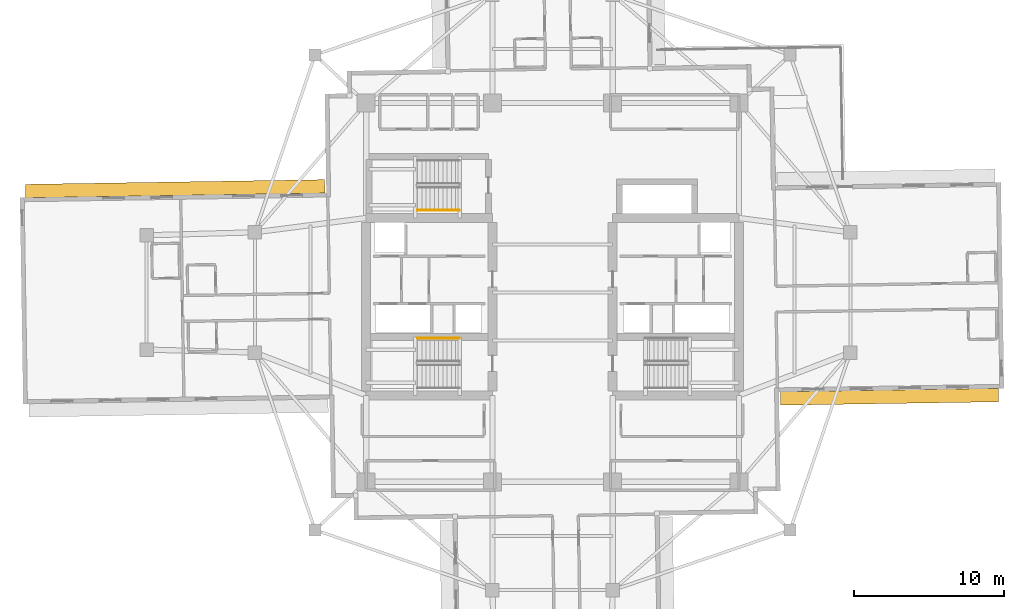
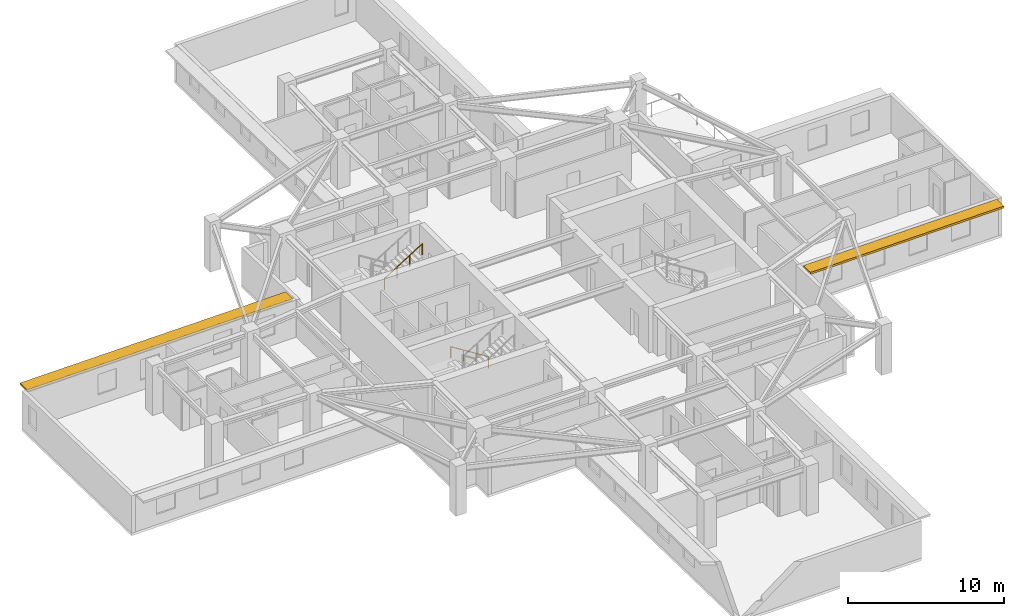
# One storey, part 11 of 13: 2 railings, 2 shading devices.
"""IFC4 building model written with IfcOpenShell, lengths in metres."""

from ifc_helpers import new_model, si_unit, direction, frame, origin, origin_2d, place, context, subcontext, project, spatial, rectangle, circle, extrude, material, layer, layer_set, type_object, element, save


model = new_model("IFC4")

# Units and contexts
model_context = context("Model", 3, precision=1e-05, world=origin(), true_north=direction((0.0, 1.0)))
body_context = subcontext(model_context, "Body", "Model", "MODEL_VIEW")
ifc_project = project(units=[si_unit("LENGTHUNIT", "METRE"), si_unit("AREAUNIT", "SQUARE_METRE"), si_unit("VOLUMEUNIT", "CUBIC_METRE"), si_unit("PLANEANGLEUNIT", "RADIAN"), si_unit("MASSUNIT", "GRAM", prefix="KILO")], contexts=[model_context])

# Site, building, storey
site_placement = place(None, origin())
site = spatial("IfcSite", under=ifc_project, at=site_placement, CompositionType="ELEMENT")
building_placement = place(site_placement, origin())
building = spatial("IfcBuilding", under=site, at=building_placement, Name="Qingluan Cross Belvedere", CompositionType="ELEMENT")
storey_placement = place(building_placement, frame((0.0, 0.0, 187.800048828125)))
storey = spatial("IfcBuildingStorey", under=building, at=storey_placement, Name="L47", CompositionType="ELEMENT", Elevation=187.800048828125)

# Shading devices
ifc_material_1 = material(Name="Precast concrete C45", Category="concrete")
ifc_layer = layer(ifc_material_1, 0.159912109375, Name="ConcreteSunshadeBand_900")
ifc_layer_set = layer_set([ifc_layer], Name="Precast concrete C45")
shading_device_type = type_object("IfcShadingDeviceType", Name="ConcreteSunshadeBand_900", PredefinedType="USERDEFINED", material=ifc_layer_set)
shading_device_1_placement = place(storey_placement, frame((22.40185546875, -6.93896484375, 2.740234375), z_axis=(0.0, 0.0, 1.0), x_axis=(0.999876630106, 0.015707468526, 0.0)))
element("IfcShadingDevice", 1, at=shading_device_1_placement, inside=storey, type_object=shading_device_type, Name="Concrete SUNSHADE L47-EA", ObjectType="SUNSHADE", PredefinedType="USERDEFINED", context=body_context, shape_type="SweptSolid", body=[
    extrude(rectangle(XDim=14.5, YDim=0.89990234375, at=origin_2d()), origin(), (0.0, 0.0, 1.0), 0.159912109375),
])
shading_device_2_placement = place(storey_placement, frame((-25.101318359375, 6.896484375, 2.740234375), z_axis=(0.0, 0.0, 1.0), x_axis=(-0.999876645576, -0.015706483741, 0.0)))
element("IfcShadingDevice", 2, at=shading_device_2_placement, inside=storey, type_object=shading_device_type, Name="Concrete SUNSHADE L47-WA", ObjectType="SUNSHADE", PredefinedType="USERDEFINED", context=body_context, shape_type="SweptSolid", body=[
    extrude(rectangle(XDim=19.89990234375, YDim=0.89990234375, at=origin_2d()), origin(), (0.0, 0.0, 1.0), 0.159912109375),
])

# Railings
ifc_material_2 = material(Name="Brushed stainless steel tubular handrail", Category="steel")
railing_type = type_object("IfcRailingType", Name="StairPitchHandrail_900", PredefinedType="HANDRAIL", material=ifc_material_2)
railing_1_placement = place(storey_placement, frame((-6.179931640625, -3.050048828125, 0.17724609375)))
element("IfcRailing", 3, at=railing_1_placement, inside=storey, type_object=railing_type, Name="L47 ST1 stair handrail 1", PredefinedType="HANDRAIL", context=body_context, shape_type="SweptSolid", body=[
    extrude(circle(Radius=0.02392578125, at=origin_2d()), frame((0.0, 0.0, 0.8759765625), z_axis=(-0.844908973607, 0.0, 0.534910110503), x_axis=(0.0, -1.0, 0.0)), (0.0, 0.0, 1.0), 3.31396484375),
    extrude(circle(Radius=0.02099609375, at=origin_2d()), origin(), (0.0, 0.0, 1.0), 0.851806640625),
    extrude(circle(Radius=0.02099609375, at=origin_2d()), frame((-0.933349609375, 0.0, 0.5908203125)), (0.0, 0.0, 1.0), 0.851806640625),
    extrude(circle(Radius=0.02099609375, at=origin_2d()), frame((-1.86669921875, 0.0, 1.181884765625)), (0.0, 0.0, 1.0), 0.851806640625),
    extrude(circle(Radius=0.02099609375, at=origin_2d()), frame((-2.800048828125, 0.0, 1.772705078125)), (0.0, 0.0, 1.0), 0.851806640625),
])
railing_2_placement = place(storey_placement, frame((-8.97998046875, 5.469970703125, 2.127197265625)))
element("IfcRailing", 4, at=railing_2_placement, inside=storey, type_object=railing_type, Name="L47 ST3 stair handrail 2", PredefinedType="HANDRAIL", context=body_context, shape_type="SweptSolid", body=[
    extrude(circle(Radius=0.02392578125, at=origin_2d()), frame((0.0, 0.0, 0.8759765625), z_axis=(0.844908973607, 0.0, 0.534910110503), x_axis=(0.0, 1.0, 0.0)), (0.0, 0.0, 1.0), 3.31396484375),
    extrude(circle(Radius=0.02099609375, at=origin_2d()), origin(), (0.0, 0.0, 1.0), 0.851806640625),
    extrude(circle(Radius=0.02099609375, at=origin_2d()), frame((0.933349609375, 0.0, 0.5908203125)), (0.0, 0.0, 1.0), 0.851806640625),
    extrude(circle(Radius=0.02099609375, at=origin_2d()), frame((1.86669921875, 0.0, 1.181884765625)), (0.0, 0.0, 1.0), 0.851806640625),
    extrude(circle(Radius=0.02099609375, at=origin_2d()), frame((2.800048828125, 0.0, 1.772705078125)), (0.0, 0.0, 1.0), 0.851806640625),
])

save(model, "model.ifc")
